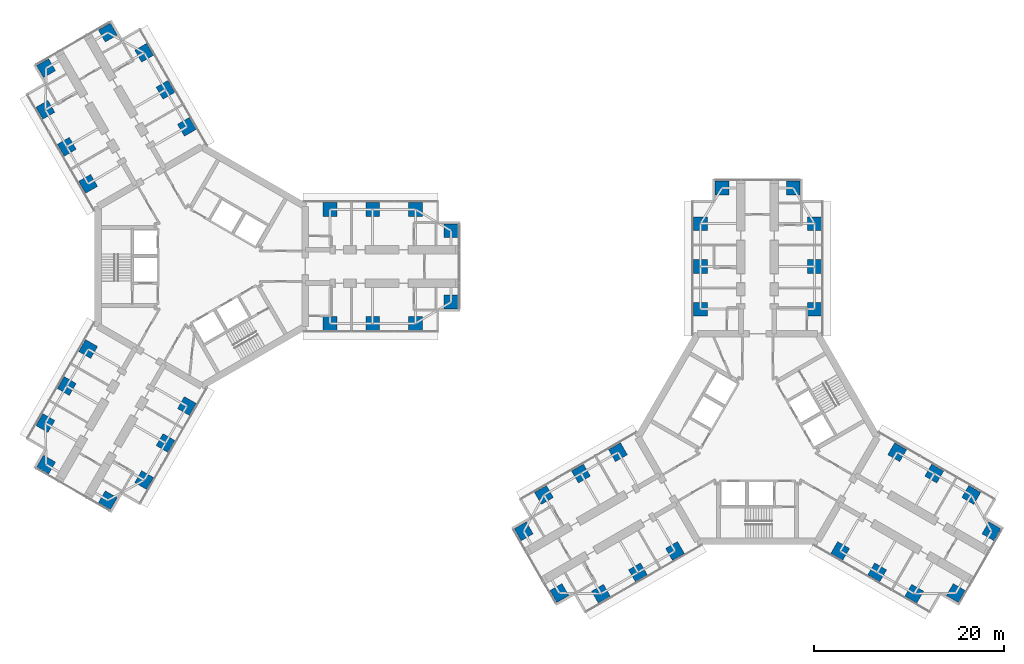
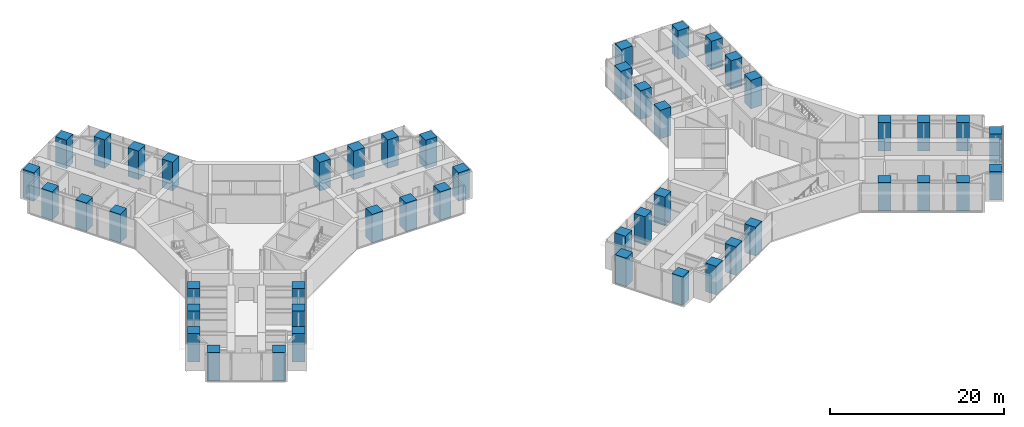
# One storey, part 1 of 24: 48 columns.
"""IFC4 building model written with IfcOpenShell, lengths in metres."""

from ifc_helpers import new_model, si_unit, direction, frame, origin, origin_2d, place, context, subcontext, project, spatial, rectangle, extrude, material, material_profile, profile_set, type_object, element, save


model = new_model("IFC4")

# Units and contexts
model_context = context("Model", 3, precision=1e-05, world=origin(), true_north=direction((0.0, 1.0)))
body_context = subcontext(model_context, "Body", "Model", "MODEL_VIEW")
ifc_project = project(units=[si_unit("LENGTHUNIT", "METRE"), si_unit("AREAUNIT", "SQUARE_METRE"), si_unit("VOLUMEUNIT", "CUBIC_METRE"), si_unit("PLANEANGLEUNIT", "RADIAN"), si_unit("MASSUNIT", "GRAM", prefix="KILO")], contexts=[model_context])

# Site, building, storey
site_placement = place(None, origin())
site = spatial("IfcSite", under=ifc_project, at=site_placement, CompositionType="ELEMENT")
building_placement = place(site_placement, origin())
building = spatial("IfcBuilding", under=site, at=building_placement, Name="Upepo Twin Towers", CompositionType="ELEMENT")
storey_placement = place(building_placement, frame((0.0, 0.0, 52.5)))
storey = spatial("IfcBuildingStorey", under=building, at=storey_placement, Name="L12", CompositionType="ELEMENT", Elevation=52.5)

# Columns
ifc_material = material(Name="Concrete C60/75", Category="concrete")
ifc_material_profile = material_profile(ifc_material, rectangle(XDim=1.449951171875, YDim=1.449951171875, at=origin_2d()), Name="RC 1450x1450")
ifc_profile_set = profile_set([ifc_material_profile], Name="Concrete C60/75")
column_type = type_object("IfcColumnType", Name="Tower column RC 1450x1450", PredefinedType="COLUMN", material=ifc_profile_set)
for number, where, z_axis, x_axis, name in (
    (1, (13.5, 6.0, 0.0), (0.0, 0.0, 1.0), (1.0, 0.0, 0.0), "T1 column AL135"),
    (2, (13.5, -6.0, 0.0), (0.0, 0.0, 1.0), (1.0, 0.0, 0.0), "T1 column AR135"),
    (3, (18.0, 6.0, 0.0), (0.0, 0.0, 1.0), (1.0, 0.0, 0.0), "T1 column AL180"),
    (4, (18.0, -6.0, 0.0), (0.0, 0.0, 1.0), (1.0, 0.0, 0.0), "T1 column AR180"),
    (5, (22.5, 6.0, 0.0), (0.0, 0.0, 1.0), (1.0, 0.0, 0.0), "T1 column AL225"),
    (6, (22.5, -6.0, 0.0), (0.0, 0.0, 1.0), (1.0, 0.0, 0.0), "T1 column AR225"),
    (7, (26.25, 3.75, 0.0), (0.0, 0.0, 1.0), (1.0, 0.0, 0.0), "T1 column ALN"),
    (8, (26.25, -3.75, 0.0), (0.0, 0.0, 1.0), (1.0, 0.0, 0.0), "T1 column ARN"),
    (9, (-11.946044921875, 8.69140625, 0.0), (0.0, 0.0, 1.0), (0.866025403784, 0.5, 0.0), "T1 column BL135"),
    (10, (-1.553955078125, 14.69140625, 0.0), (0.0, 0.0, 1.0), (0.866025403784, 0.5, 0.0), "T1 column BR135"),
    (11, (-14.196044921875, 12.58837890625, 0.0), (0.0, 0.0, 1.0), (0.866025403784, 0.5, 0.0), "T1 column BL180"),
    (12, (-3.803955078125, 18.58837890625, 0.0), (0.0, 0.0, 1.0), (0.866025403784, 0.5, 0.0), "T1 column BR180"),
    (13, (-16.446044921875, 16.485595703125, 0.0), (0.0, 0.0, 1.0), (0.866025403784, 0.5, 0.0), "T1 column BL225"),
    (14, (-6.053955078125, 22.485595703125, 0.0), (0.0, 0.0, 1.0), (0.866025403784, 0.5, 0.0), "T1 column BR225"),
    (15, (-16.37255859375, 20.858154296875, 0.0), (0.0, 0.0, 1.0), (0.866025403784, 0.5, 0.0), "T1 column BLN"),
    (16, (-9.87744140625, 24.608154296875, 0.0), (0.0, 0.0, 1.0), (0.866025403784, 0.5, 0.0), "T1 column BRN"),
    (17, (-1.553955078125, -14.69140625, 0.0), (0.0, 0.0, 1.0), (0.5, 0.866025403784, 0.0), "T1 column CL135"),
    (18, (-11.946044921875, -8.69140625, 0.0), (0.0, 0.0, 1.0), (0.5, 0.866025403784, 0.0), "T1 column CR135"),
    (19, (-3.803955078125, -18.58837890625, 0.0), (0.0, 0.0, 1.0), (0.5, 0.866025403784, 0.0), "T1 column CL180"),
    (20, (-14.196044921875, -12.58837890625, 0.0), (0.0, 0.0, 1.0), (0.5, 0.866025403784, 0.0), "T1 column CR180"),
    (21, (-6.053955078125, -22.485595703125, 0.0), (0.0, 0.0, 1.0), (0.5, 0.866025403784, 0.0), "T1 column CL225"),
    (22, (-16.446044921875, -16.485595703125, 0.0), (0.0, 0.0, 1.0), (0.5, 0.866025403784, 0.0), "T1 column CR225"),
    (23, (-9.87744140625, -24.608154296875, 0.0), (0.0, 0.0, 1.0), (0.5, 0.866025403784, 0.0), "T1 column CLN"),
    (24, (-16.37255859375, -20.858154296875, 0.0), (0.0, 0.0, 1.0), (0.5, 0.866025403784, 0.0), "T1 column CRN"),
    (25, (52.5, -4.5, 0.0), (0.0, 0.0, 1.0), (1.0, 0.0, 0.0), "T2 column AL135"),
    (26, (64.5, -4.5, 0.0), (0.0, 0.0, 1.0), (1.0, 0.0, 0.0), "T2 column AR135"),
    (27, (52.5, 0.0, 0.0), (0.0, 0.0, 1.0), (1.0, 0.0, 0.0), "T2 column AL180"),
    (28, (64.5, 0.0, 0.0), (0.0, 0.0, 1.0), (1.0, 0.0, 0.0), "T2 column AR180"),
    (29, (52.5, 4.5, 0.0), (0.0, 0.0, 1.0), (1.0, 0.0, 0.0), "T2 column AL225"),
    (30, (64.5, 4.5, 0.0), (0.0, 0.0, 1.0), (1.0, 0.0, 0.0), "T2 column AR225"),
    (31, (54.75, 8.25, 0.0), (0.0, 0.0, 1.0), (1.0, 0.0, 0.0), "T2 column ALN"),
    (32, (62.25, 8.25, 0.0), (0.0, 0.0, 1.0), (1.0, 0.0, 0.0), "T2 column ARN"),
    (33, (49.80859375, -29.946044921875, 0.0), (0.0, 0.0, 1.0), (0.866025403784, 0.5, 0.0), "T2 column BL135"),
    (34, (43.80859375, -19.553955078125, 0.0), (0.0, 0.0, 1.0), (0.866025403784, 0.5, 0.0), "T2 column BR135"),
    (35, (45.91162109375, -32.196044921875, 0.0), (0.0, 0.0, 1.0), (0.866025403784, 0.5, 0.0), "T2 column BL180"),
    (36, (39.91162109375, -21.803955078125, 0.0), (0.0, 0.0, 1.0), (0.866025403784, 0.5, 0.0), "T2 column BR180"),
    (37, (42.014404296875, -34.446044921875, 0.0), (0.0, 0.0, 1.0), (0.866025403784, 0.5, 0.0), "T2 column BL225"),
    (38, (36.014404296875, -24.053955078125, 0.0), (0.0, 0.0, 1.0), (0.866025403784, 0.5, 0.0), "T2 column BR225"),
    (39, (37.641845703125, -34.37255859375, 0.0), (0.0, 0.0, 1.0), (0.866025403784, 0.5, 0.0), "T2 column BLN"),
    (40, (33.891845703125, -27.87744140625, 0.0), (0.0, 0.0, 1.0), (0.866025403784, 0.5, 0.0), "T2 column BRN"),
    (41, (73.19140625, -19.553955078125, 0.0), (0.0, 0.0, 1.0), (0.5, 0.866025403784, 0.0), "T2 column CL135"),
    (42, (67.19140625, -29.946044921875, 0.0), (0.0, 0.0, 1.0), (0.5, 0.866025403784, 0.0), "T2 column CR135"),
    (43, (77.08837890625, -21.803955078125, 0.0), (0.0, 0.0, 1.0), (0.5, 0.866025403784, 0.0), "T2 column CL180"),
    (44, (71.08837890625, -32.196044921875, 0.0), (0.0, 0.0, 1.0), (0.5, 0.866025403784, 0.0), "T2 column CR180"),
    (45, (80.985595703125, -24.053955078125, 0.0), (0.0, 0.0, 1.0), (0.5, 0.866025403784, 0.0), "T2 column CL225"),
    (46, (74.985595703125, -34.446044921875, 0.0), (0.0, 0.0, 1.0), (0.5, 0.866025403784, 0.0), "T2 column CR225"),
    (47, (83.108154296875, -27.87744140625, 0.0), (0.0, 0.0, 1.0), (0.5, 0.866025403784, 0.0), "T2 column CLN"),
    (48, (79.358154296875, -34.37255859375, 0.0), (0.0, 0.0, 1.0), (0.5, 0.866025403784, 0.0), "T2 column CRN"),
):
    element("IfcColumn", number, at=place(storey_placement, frame(where, z_axis=z_axis, x_axis=x_axis)), inside=storey, type_object=column_type, Name=name, PredefinedType="COLUMN", context=body_context, shape_type="SweptSolid", body=[
        extrude(rectangle(XDim=1.449951171875, YDim=1.449951171875, at=origin_2d()), origin(), (0.0, 0.0, 1.0), 4.0),
    ])

save(model, "model.ifc")
